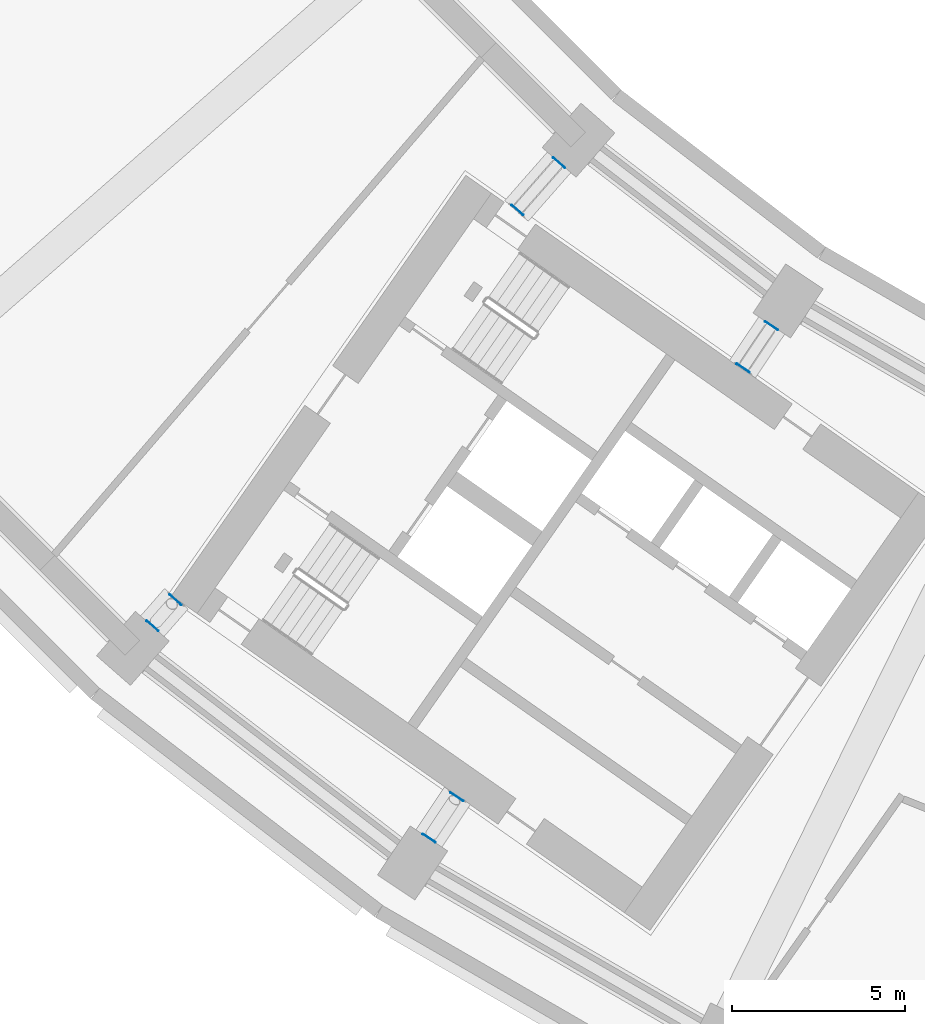
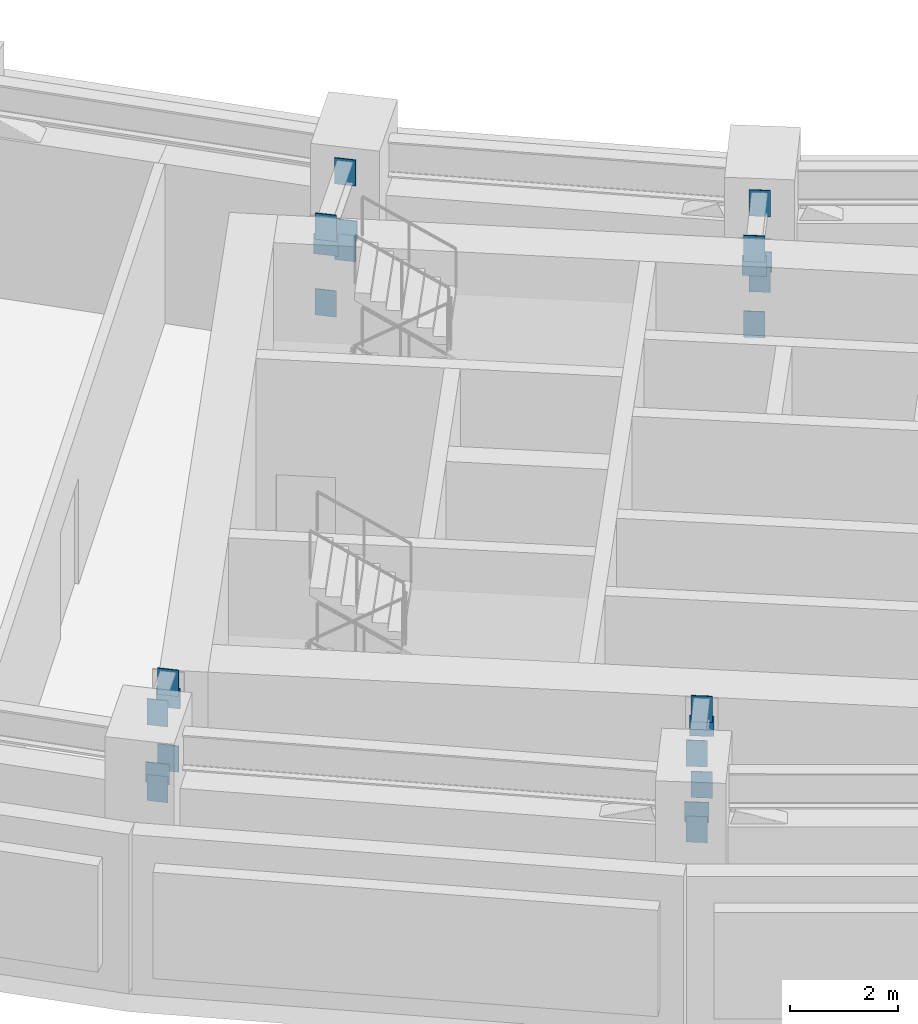
# One storey, part 11 of 25: 24 discrete accessories.
"""IFC4 building model written with IfcOpenShell, lengths in metres."""

from ifc_helpers import new_model, si_unit, direction, frame, origin, origin_2d, place, context, subcontext, project, spatial, rectangle, extrude, material, layer, layer_set, type_object, element, save


model = new_model("IFC4")

# Units and contexts
model_context = context("Model", 3, precision=1e-05, world=origin(), true_north=direction((0.0, 1.0)))
body_context = subcontext(model_context, "Body", "Model", "MODEL_VIEW")
ifc_project = project(units=[si_unit("LENGTHUNIT", "METRE"), si_unit("AREAUNIT", "SQUARE_METRE"), si_unit("VOLUMEUNIT", "CUBIC_METRE"), si_unit("PLANEANGLEUNIT", "RADIAN"), si_unit("MASSUNIT", "GRAM", prefix="KILO")], contexts=[model_context])

# Site, building, storey
site_placement = place(None, origin())
site = spatial("IfcSite", under=ifc_project, at=site_placement, CompositionType="ELEMENT")
building_placement = place(site_placement, origin())
building = spatial("IfcBuilding", under=site, at=building_placement, Name="Qamariyya Broadcast Tower", CompositionType="ELEMENT")
storey_placement = place(building_placement, frame((0.0, 0.0, 89.89990234375)))
storey = spatial("IfcBuildingStorey", under=building, at=storey_placement, Name="L19", CompositionType="ELEMENT", Elevation=89.89990234375)

# Discrete accessories
ifc_material = material(Name="Steel S355", Category="steel")
ifc_layer = layer(ifc_material, 0.02001953125)
ifc_layer_set = layer_set([ifc_layer], Name="End plate 20 Steel S355")
discrete_accessory_type = type_object("IfcDiscreteAccessoryType", Name="End plate 20 Steel S355", PredefinedType="BRACKET", material=ifc_layer_set)
for number, where, z_axis, x_axis, name in (
    (1, (-38.973876953125, -44.441162109375, 4.16015625), (0.0, 0.0, 1.0), (-0.751839807479, 0.6593458151, 0.0), "End plate EP1 L19 R05 tc"),
    (2, (-40.172119140625, -45.8076171875, 4.16015625), (0.0, 0.0, 1.0), (-0.751839807479, 0.6593458151, 0.0), "End plate EP1 L19 R05 tc"),
    (3, (-38.973876953125, -44.441162109375, 2.4501953125), (0.0, 0.0, 1.0), (-0.751839807479, 0.6593458151, 0.0), "End plate EP1 L19 R05 bc"),
    (4, (-40.172119140625, -45.8076171875, 2.4501953125), (0.0, 0.0, 1.0), (-0.751839807479, 0.6593458151, 0.0), "End plate EP1 L19 R05 bc"),
):
    element("IfcDiscreteAccessory", number, at=place(storey_placement, frame(where, z_axis=z_axis, x_axis=x_axis)), inside=storey, type_object=discrete_accessory_type, Name=name, PredefinedType="BRACKET", context=body_context, shape_type="SweptSolid", body=[
        extrude(rectangle(XDim=0.39990234375, YDim=0.02001953125, at=origin_2d()), origin(), (0.0, 0.0, 1.0), 0.590087890625),
    ])
for number, where, z_axis, x_axis, name in (
    (5, (-38.973876953125, -44.441162109375, 2.917236328125), (0.0, 0.0, 1.0), (-0.751839807479, 0.6593458151, 0.0), "End plate EP1 L19 R05 dg"),
    (6, (-40.172119140625, -45.8076171875, 3.827392578125), (0.0, 0.0, 1.0), (-0.751839807479, 0.6593458151, 0.0), "End plate EP1 L19 R05 dg"),
):
    element("IfcDiscreteAccessory", number, at=place(storey_placement, frame(where, z_axis=z_axis, x_axis=x_axis)), inside=storey, type_object=discrete_accessory_type, Name=name, PredefinedType="BRACKET", context=body_context, shape_type="SweptSolid", body=[
        extrude(rectangle(XDim=0.45556640625, YDim=0.02001953125, at=origin_2d()), origin(), (0.0, 0.0, 1.0), 0.45556640625),
    ])
for number, where, z_axis, x_axis, name in (
    (7, (-50.034912109375, -57.053955078125, 4.16015625), (0.0, 0.0, 1.0), (-0.751839807479, 0.6593458151, 0.0), "End plate EP1 L19 R05 tc"),
    (8, (-50.697021484375, -57.80908203125, 4.16015625), (0.0, 0.0, 1.0), (-0.751839807479, 0.6593458151, 0.0), "End plate EP1 L19 R05 tc"),
    (9, (-50.034912109375, -57.053955078125, 2.4501953125), (0.0, 0.0, 1.0), (-0.751839807479, 0.6593458151, 0.0), "End plate EP1 L19 R05 bc"),
    (10, (-50.697021484375, -57.80908203125, 2.4501953125), (0.0, 0.0, 1.0), (-0.751839807479, 0.6593458151, 0.0), "End plate EP1 L19 R05 bc"),
):
    element("IfcDiscreteAccessory", number, at=place(storey_placement, frame(where, z_axis=z_axis, x_axis=x_axis)), inside=storey, type_object=discrete_accessory_type, Name=name, PredefinedType="BRACKET", context=body_context, shape_type="SweptSolid", body=[
        extrude(rectangle(XDim=0.39990234375, YDim=0.02001953125, at=origin_2d()), origin(), (0.0, 0.0, 1.0), 0.590087890625),
    ])
for number, where, z_axis, x_axis, name in (
    (11, (-50.034912109375, -57.053955078125, 3.88330078125), (0.0, 0.0, 1.0), (-0.751839807479, 0.6593458151, 0.0), "End plate EP1 L19 R05 dg"),
    (12, (-50.697021484375, -57.80908203125, 2.861328125), (0.0, 0.0, 1.0), (-0.751839807479, 0.6593458151, 0.0), "End plate EP1 L19 R05 dg"),
):
    element("IfcDiscreteAccessory", number, at=place(storey_placement, frame(where, z_axis=z_axis, x_axis=x_axis)), inside=storey, type_object=discrete_accessory_type, Name=name, PredefinedType="BRACKET", context=body_context, shape_type="SweptSolid", body=[
        extrude(rectangle(XDim=0.45556640625, YDim=0.02001953125, at=origin_2d()), origin(), (0.0, 0.0, 1.0), 0.45556640625),
    ])
for number, where, z_axis, x_axis, name in (
    (13, (-32.83984375, -49.148193359375, 4.16015625), (0.0, 0.0, 1.0), (-0.831469612303, 0.55557023302, 0.0), "End plate EP1 L19 R06 tc"),
    (14, (-33.656005859375, -50.369873046875, 4.16015625), (0.0, 0.0, 1.0), (-0.831469612303, 0.55557023302, 0.0), "End plate EP1 L19 R06 tc"),
    (15, (-32.83984375, -49.148193359375, 2.4501953125), (0.0, 0.0, 1.0), (-0.831469612303, 0.55557023302, 0.0), "End plate EP1 L19 R06 bc"),
    (16, (-33.656005859375, -50.369873046875, 2.4501953125), (0.0, 0.0, 1.0), (-0.831469612303, 0.55557023302, 0.0), "End plate EP1 L19 R06 bc"),
):
    element("IfcDiscreteAccessory", number, at=place(storey_placement, frame(where, z_axis=z_axis, x_axis=x_axis)), inside=storey, type_object=discrete_accessory_type, Name=name, PredefinedType="BRACKET", context=body_context, shape_type="SweptSolid", body=[
        extrude(rectangle(XDim=0.39990234375, YDim=0.02001953125, at=origin_2d()), origin(), (0.0, 0.0, 1.0), 0.590087890625),
    ])
for number, where, z_axis, x_axis, name in (
    (17, (-32.83984375, -49.148193359375, 2.90380859375), (0.0, 0.0, 1.0), (-0.831469612303, 0.55557023302, 0.0), "End plate EP1 L19 R06 dg"),
    (18, (-33.656005859375, -50.369873046875, 3.8408203125), (0.0, 0.0, 1.0), (-0.831469612303, 0.55557023302, 0.0), "End plate EP1 L19 R06 dg"),
):
    element("IfcDiscreteAccessory", number, at=place(storey_placement, frame(where, z_axis=z_axis, x_axis=x_axis)), inside=storey, type_object=discrete_accessory_type, Name=name, PredefinedType="BRACKET", context=body_context, shape_type="SweptSolid", body=[
        extrude(rectangle(XDim=0.45556640625, YDim=0.02001953125, at=origin_2d()), origin(), (0.0, 0.0, 1.0), 0.45556640625),
    ])
for number, where, z_axis, x_axis, name in (
    (19, (-41.91943359375, -62.73681640625, 4.16015625), (0.0, 0.0, 1.0), (-0.831469612303, 0.55557023302, 0.0), "End plate EP1 L19 R06 tc"),
    (20, (-42.7177734375, -63.931640625, 4.16015625), (0.0, 0.0, 1.0), (-0.831469612303, 0.55557023302, 0.0), "End plate EP1 L19 R06 tc"),
    (21, (-41.91943359375, -62.73681640625, 2.4501953125), (0.0, 0.0, 1.0), (-0.831469612303, 0.55557023302, 0.0), "End plate EP1 L19 R06 bc"),
    (22, (-42.7177734375, -63.931640625, 2.4501953125), (0.0, 0.0, 1.0), (-0.831469612303, 0.55557023302, 0.0), "End plate EP1 L19 R06 bc"),
):
    element("IfcDiscreteAccessory", number, at=place(storey_placement, frame(where, z_axis=z_axis, x_axis=x_axis)), inside=storey, type_object=discrete_accessory_type, Name=name, PredefinedType="BRACKET", context=body_context, shape_type="SweptSolid", body=[
        extrude(rectangle(XDim=0.39990234375, YDim=0.02001953125, at=origin_2d()), origin(), (0.0, 0.0, 1.0), 0.590087890625),
    ])
for number, where, z_axis, x_axis, name in (
    (23, (-41.91943359375, -62.73681640625, 3.8427734375), (0.0, 0.0, 1.0), (-0.831469612303, 0.55557023302, 0.0), "End plate EP1 L19 R06 dg"),
    (24, (-42.7177734375, -63.931640625, 2.90185546875), (0.0, 0.0, 1.0), (-0.831469612303, 0.55557023302, 0.0), "End plate EP1 L19 R06 dg"),
):
    element("IfcDiscreteAccessory", number, at=place(storey_placement, frame(where, z_axis=z_axis, x_axis=x_axis)), inside=storey, type_object=discrete_accessory_type, Name=name, PredefinedType="BRACKET", context=body_context, shape_type="SweptSolid", body=[
        extrude(rectangle(XDim=0.45556640625, YDim=0.02001953125, at=origin_2d()), origin(), (0.0, 0.0, 1.0), 0.45556640625),
    ])

save(model, "model.ifc")
